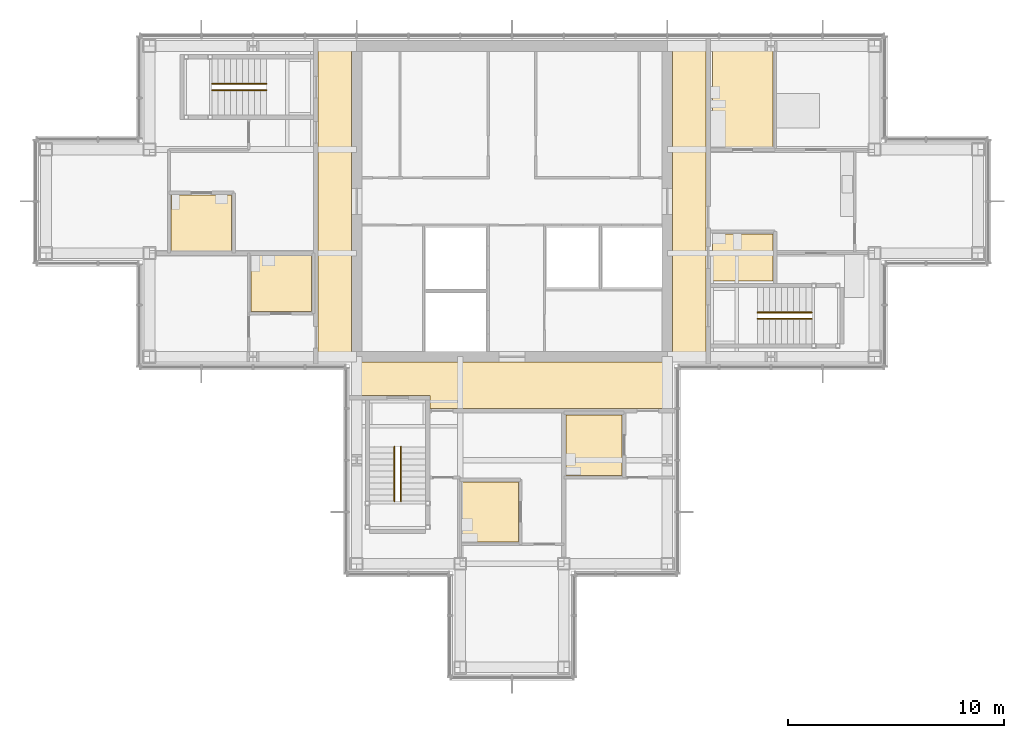
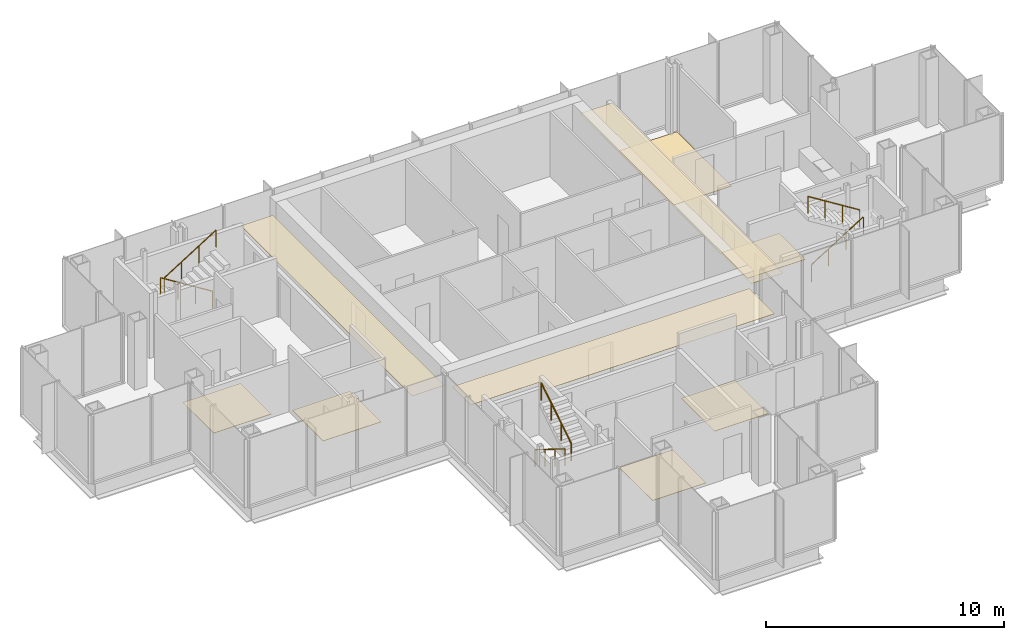
# One storey, part 13 of 15: 9 coverings, 6 railings.
"""IFC4 building model written with IfcOpenShell, lengths in metres."""

import ifcopenshell
import ifcopenshell.guid

model = None  # the IFC model being written
_history = None  # IfcOwnerHistory: only IFC2X3 demands one
_inside = {}  # id of a spatial element -> (the spatial element, [elements in it])
_under = {}  # id of a project, library or spatial element -> (it, [spatial elements below it])
_declared = {}  # id of a project -> (the project, [libraries it declares])
_typed = {}  # id of a type object -> (the type object, [elements of that type])
_made_of = {}  # id of a material, layer set ... -> (it, [elements and type objects made of it])


def new_model(schema):
    """Start an empty IFC model of exactly this schema.

    Asked for "IFC4X3", IfcOpenShell would pick the latest addendum, in which some entities
    have other attributes; the version numbers below select the first issue.
    IFC2X3 requires an IfcOwnerHistory on every rooted entity: one is made here for all.
    """
    global model, _history
    if schema == "IFC4X3":
        model = ifcopenshell.file(schema_version=(4, 3, 0, 0))
    else:
        model = ifcopenshell.file(schema=schema)
    _inside.clear()
    _under.clear()
    _declared.clear()
    _typed.clear()
    _made_of.clear()
    _history = None
    if model.schema == "IFC2X3":
        org = make("IfcOrganization", Name="unknown")
        user = make(
            "IfcPersonAndOrganization",
            ThePerson=make("IfcPerson", FamilyName="unknown"),
            TheOrganization=org,
        )
        app = make(
            "IfcApplication",
            ApplicationDeveloper=org,
            Version="unknown",
            ApplicationFullName="unknown",
            ApplicationIdentifier="unknown",
        )
        _history = make(
            "IfcOwnerHistory",
            OwningUser=user,
            OwningApplication=app,
            ChangeAction="ADDED",
            CreationDate=0,
        )
    return model


def make(cls, **values):
    """One entity of the class cls with the attributes given. An attribute that is None is left unset."""
    return model.create_entity(
        cls, **{name: value for name, value in values.items() if value is not None}
    )


def rooted(cls, **values):
    """An entity with a GlobalId (a new one), such as an element, a storey or a relation."""
    return make(cls, GlobalId=ifcopenshell.guid.new(), OwnerHistory=_history, **values)


def si_unit(unit_type, name, prefix=None):
    """IfcSIUnit, for example si_unit("LENGTHUNIT", "METRE", prefix="MILLI")."""
    return make("IfcSIUnit", UnitType=unit_type, Prefix=prefix, Name=name)


def assignment(units):
    """IfcUnitAssignment: the units of a project."""
    return None if units is None else make("IfcUnitAssignment", Units=units)


def point(xyz):
    """IfcCartesianPoint."""
    return None if xyz is None else make("IfcCartesianPoint", Coordinates=xyz)


def direction(xyz):
    """IfcDirection."""
    return None if xyz is None else make("IfcDirection", DirectionRatios=xyz)


def frame(location, z_axis=None, x_axis=None):
    """IfcAxis2Placement3D, a coordinate frame: its origin and axes. An axis left out is left unset."""
    return make(
        "IfcAxis2Placement3D",
        Location=point(location),
        Axis=direction(z_axis),
        RefDirection=direction(x_axis),
    )


def frame_2d(location, x_axis=None):
    """IfcAxis2Placement2D, a coordinate frame in the plane: its origin and x axis."""
    return make(
        "IfcAxis2Placement2D", Location=point(location), RefDirection=direction(x_axis)
    )


def origin():
    """The frame at (0, 0, 0) with its axes left unset."""
    return frame((0.0, 0.0, 0.0))


def origin_2d():
    """The frame at (0, 0) in the plane with its x axis left unset."""
    return frame_2d((0.0, 0.0))


def place(relative_to, where):
    """IfcLocalPlacement: puts the frame where relative to a parent placement (None: the world)."""
    return make(
        "IfcLocalPlacement", PlacementRelTo=relative_to, RelativePlacement=where
    )


def context(
    kind, dimensions, precision=None, world=None, true_north=None, identifier=None
):
    """IfcGeometricRepresentationContext, for example the 3D "Model" context."""
    return make(
        "IfcGeometricRepresentationContext",
        ContextIdentifier=identifier,
        ContextType=kind,
        CoordinateSpaceDimension=dimensions,
        Precision=precision,
        WorldCoordinateSystem=world,
        TrueNorth=true_north,
    )


def subcontext(parent, identifier, kind, view, scale=None):
    """IfcGeometricRepresentationSubContext, for example "Body" below "Model"."""
    return make(
        "IfcGeometricRepresentationSubContext",
        ContextIdentifier=identifier,
        ContextType=kind,
        ParentContext=parent,
        TargetScale=scale,
        TargetView=view,
    )


def project(units=None, contexts=None):
    """IfcProject with its units and contexts."""
    return rooted(
        "IfcProject",
        Name="project",
        RepresentationContexts=contexts,
        UnitsInContext=assignment(units),
    )


def spatial(cls, under=None, at=None, **own):
    """A site, building, storey or space (cls), placed at a placement, below another one or the project."""
    s = rooted(cls, ObjectPlacement=at, **own)
    if under is not None:
        _under.setdefault(under.id(), (under, []))[1].append(s)
    return s


def polyline(points):
    """IfcPolyline through the points."""
    return make("IfcPolyline", Points=[point(p) for p in points])


def profile(cls, at=None, kind="AREA", **sizes):
    """A parametric profile (cls). Its sizes go by their IFC names, for example OverallWidth=200.0."""
    return make(cls, ProfileType=kind, Position=at, **sizes)


def circle(**sizes):
    """IfcCircleProfileDef."""
    return profile("IfcCircleProfileDef", **sizes)


def outline(outer, holes=None, kind="AREA"):
    """IfcArbitraryClosedProfileDef: a profile drawn as a closed curve; with holes, ...WithVoids."""
    if holes is None:
        return make("IfcArbitraryClosedProfileDef", ProfileType=kind, OuterCurve=outer)
    return make(
        "IfcArbitraryProfileDefWithVoids",
        ProfileType=kind,
        OuterCurve=outer,
        InnerCurves=holes,
    )


def extrude(swept, where, along, depth):
    """IfcExtrudedAreaSolid: the profile swept, set in the frame where, extruded along a direction by depth."""
    return make(
        "IfcExtrudedAreaSolid",
        SweptArea=swept,
        Position=where,
        ExtrudedDirection=direction(along),
        Depth=depth,
    )


def shape(context_of_items, identifier, shape_type, items):
    """IfcShapeRepresentation: the items that make up one representation, for example the "Body"."""
    return make(
        "IfcShapeRepresentation",
        ContextOfItems=context_of_items,
        RepresentationIdentifier=identifier,
        RepresentationType=shape_type,
        Items=items,
    )


def material(Name=None, Category=None):
    """IfcMaterial."""
    return make("IfcMaterial", Name=Name, Category=Category)


def layer(
    of_material, thickness, ventilated=None, Name=None, Category=None, Priority=None
):
    """IfcMaterialLayer: one layer of a wall or slab, of a material (None: an air gap)."""
    return make(
        "IfcMaterialLayer",
        Material=of_material,
        LayerThickness=thickness,
        IsVentilated=ventilated,
        Name=Name,
        Category=Category,
        Priority=Priority,
    )


def layer_set(layers, Name=None):
    """IfcMaterialLayerSet."""
    return make("IfcMaterialLayerSet", MaterialLayers=layers, LayerSetName=Name)


def made_of(thing, what):
    """Note that an element or type object is made of a material, layer set ...; save() writes the relation."""
    if what is not None:
        _made_of.setdefault(what.id(), (what, []))[1].append(thing)
    return thing


def type_object(cls, material=None, **own):
    """A type object (cls), such as IfcWallType, which elements share."""
    return made_of(rooted(cls, **own), material)


def element(
    cls,
    number,
    at=None,
    inside=None,
    cuts=None,
    type_object=None,
    material=None,
    context=None,
    identifier="Body",
    shape_type=None,
    held_by="IfcProductDefinitionShape",
    body=None,
    shapes=None,
    **own,
):
    """One element of the class cls, such as IfcWall. Its Tag is "e" and its number.

    at: its placement. inside: the storey or other place that contains it. cuts: it is an
    opening in that element (IfcRelVoidsElement). A single representation is given by context,
    identifier, shape_type and body (its items); several are given by shapes. held_by: the class
    of the entity that holds the representations. save() writes the other relations.
    """
    e = rooted(cls, Tag="e%d" % number, ObjectPlacement=at, **own)
    if body is not None:
        shapes = [shape(context, identifier, shape_type, body)]
    if shapes is not None:
        e.Representation = make(held_by, Representations=shapes)
    if inside is not None:
        _inside.setdefault(inside.id(), (inside, []))[1].append(e)
    if cuts is not None:
        rooted(
            "IfcRelVoidsElement", RelatingBuildingElement=cuts, RelatedOpeningElement=e
        )
    if type_object is not None:
        _typed.setdefault(type_object.id(), (type_object, []))[1].append(e)
    return made_of(e, material)


def aggregate(whole, parts):
    """IfcRelAggregates: a whole, such as a stair, and the parts it consists of."""
    return rooted("IfcRelAggregates", RelatingObject=whole, RelatedObjects=parts)


def save(model, path):
    """Write the relations noted so far, then the file.

    IfcRelAggregates (storeys below a building ...), IfcRelContainedInSpatialStructure (elements
    in a storey), IfcRelDefinesByType, IfcRelAssociatesMaterial and IfcRelDeclares: one each for
    every whole, place, type object, material and project.
    """
    for whole, parts in _under.values():
        aggregate(whole, parts)
    for where, things in _inside.values():
        rooted(
            "IfcRelContainedInSpatialStructure",
            RelatedElements=things,
            RelatingStructure=where,
        )
    for kind, things in _typed.values():
        rooted("IfcRelDefinesByType", RelatedObjects=things, RelatingType=kind)
    for what, things in _made_of.values():
        rooted("IfcRelAssociatesMaterial", RelatedObjects=things, RelatingMaterial=what)
    for by, libraries in _declared.values():
        rooted("IfcRelDeclares", RelatingContext=by, RelatedDefinitions=libraries)
    model.write(path)


model = new_model("IFC4")

# Units and contexts
model_context = context("Model", 3, precision=1e-05, world=origin(), true_north=direction((0.0, 1.0)))
body_context = subcontext(model_context, "Body", "Model", "MODEL_VIEW")
ifc_project = project(units=[si_unit("LENGTHUNIT", "METRE"), si_unit("AREAUNIT", "SQUARE_METRE"), si_unit("VOLUMEUNIT", "CUBIC_METRE"), si_unit("PLANEANGLEUNIT", "RADIAN"), si_unit("MASSUNIT", "GRAM", prefix="KILO")], contexts=[model_context])

# Site, building, storey
site_placement = place(None, origin())
site = spatial("IfcSite", under=ifc_project, at=site_placement, CompositionType="ELEMENT")
building_placement = place(site_placement, origin())
building = spatial("IfcBuilding", under=site, at=building_placement, Name="Kvirike Care Tower", CompositionType="ELEMENT")
storey_placement = place(building_placement, frame((0.0, 0.0, 229.5)))
storey = spatial("IfcBuildingStorey", under=building, at=storey_placement, Name="L63", CompositionType="ELEMENT", Elevation=229.5)

# Coverings
ifc_material_1 = material(Name="Perforated metal ceiling tile", Category="aluminium")
ifc_layer_1 = layer(ifc_material_1, 0.014892578125)
ifc_layer_set_1 = layer_set([ifc_layer_1], Name="CORRIDOR CEILING 15")
covering_type_1 = type_object("IfcCoveringType", Name="CORRIDOR CEILING 15", PredefinedType="CEILING", material=ifc_layer_set_1)
covering_1_placement = place(storey_placement, frame((0.0, 0.0, 2.5)))
element("IfcCovering", 1, at=covering_1_placement, inside=storey, type_object=covering_type_1, Name="Corridor ceiling L63", PredefinedType="CEILING", context=body_context, shape_type="SweptSolid", body=[
    extrude(outline(polyline([(12.60009765625, 43.199951171875), (14.14990234375, 43.199951171875), (14.14990234375, 28.800048828125), (12.60009765625, 28.800048828125), (12.60009765625, 43.199951171875)])), origin(), (0.0, 0.0, 1.0), 0.014892578125),
])
covering_2_placement = place(storey_placement, frame((0.0, 0.0, 2.5)))
element("IfcCovering", 2, at=covering_2_placement, inside=storey, type_object=covering_type_1, Name="Corridor ceiling L63", PredefinedType="CEILING", context=body_context, shape_type="SweptSolid", body=[
    extrude(outline(polyline([(14.39990234375, 28.550048828125), (28.800048828125, 28.550048828125), (28.800048828125, 26.39990234375), (17.800048828125, 26.39990234375), (17.800048828125, 27.0), (14.39990234375, 27.0), (14.39990234375, 28.550048828125)])), origin(), (0.0, 0.0, 1.0), 0.014892578125),
])
covering_3_placement = place(storey_placement, frame((0.0, 0.0, 2.5)))
element("IfcCovering", 3, at=covering_3_placement, inside=storey, type_object=covering_type_1, Name="Corridor ceiling L63", PredefinedType="CEILING", context=body_context, shape_type="SweptSolid", body=[
    extrude(outline(polyline([(30.60009765625, 28.800048828125), (29.050048828125, 28.800048828125), (29.050048828125, 43.199951171875), (30.60009765625, 43.199951171875), (30.60009765625, 28.800048828125)])), origin(), (0.0, 0.0, 1.0), 0.014892578125),
])

# Railings
ifc_material_2 = material(Name="Stainless steel handrail", Category="steel")
railing_type = type_object("IfcRailingType", Name="STAIR HANDRAIL 900", PredefinedType="HANDRAIL", material=ifc_material_2)
railing_1_placement = place(storey_placement, frame((10.219970703125, 41.449951171875, 0.175048828125)))
element("IfcRailing", 4, at=railing_1_placement, inside=storey, type_object=railing_type, Name="Stair 1 handrail L63 flight 1", PredefinedType="HANDRAIL", context=body_context, shape_type="SweptSolid", body=[
    extrude(circle(Radius=0.02490234375, at=origin_2d()), frame((0.0, 0.0, 0.875), z_axis=(-0.848007534815, 0.0, 0.529984170421), x_axis=(0.0, -1.0, 0.0)), (0.0, 0.0, 1.0), 2.9716796875),
    extrude(circle(Radius=0.02001953125, at=origin_2d()), origin(), (0.0, 0.0, 1.0), 0.849853515625),
    extrude(circle(Radius=0.02001953125, at=origin_2d()), frame((-0.840087890625, 0.0, 0.52490234375)), (0.0, 0.0, 1.0), 0.849853515625),
    extrude(circle(Radius=0.02001953125, at=origin_2d()), frame((-1.679931640625, 0.0, 1.050048828125)), (0.0, 0.0, 1.0), 0.849853515625),
    extrude(circle(Radius=0.02001953125, at=origin_2d()), frame((-2.52001953125, 0.0, 1.574951171875)), (0.0, 0.0, 1.0), 0.849853515625),
])
for number, where, name in (
    (5, (7.699951171875, 41.14990234375, 1.925048828125), "Stair 1 handrail L63 flight 2"),
    (6, (32.97998046875, 30.550048828125, 0.175048828125), "Stair 2 handrail L63 flight 1"),
):
    element("IfcRailing", number, at=place(storey_placement, frame(where)), inside=storey, type_object=railing_type, Name=name, PredefinedType="HANDRAIL", context=body_context, shape_type="SweptSolid", body=[
        extrude(circle(Radius=0.02490234375, at=origin_2d()), frame((0.0, 0.0, 0.875), z_axis=(0.848007534815, 0.0, 0.529984170421), x_axis=(0.0, 1.0, 0.0)), (0.0, 0.0, 1.0), 2.9716796875),
        extrude(circle(Radius=0.02001953125, at=origin_2d()), origin(), (0.0, 0.0, 1.0), 0.849853515625),
        extrude(circle(Radius=0.02001953125, at=origin_2d()), frame((0.840087890625, 0.0, 0.52490234375)), (0.0, 0.0, 1.0), 0.849853515625),
        extrude(circle(Radius=0.02001953125, at=origin_2d()), frame((1.679931640625, 0.0, 1.050048828125)), (0.0, 0.0, 1.0), 0.849853515625),
        extrude(circle(Radius=0.02001953125, at=origin_2d()), frame((2.52001953125, 0.0, 1.574951171875)), (0.0, 0.0, 1.0), 0.849853515625),
    ])
railing_2_placement = place(storey_placement, frame((35.5, 30.85009765625, 1.925048828125)))
element("IfcRailing", 7, at=railing_2_placement, inside=storey, type_object=railing_type, Name="Stair 2 handrail L63 flight 2", PredefinedType="HANDRAIL", context=body_context, shape_type="SweptSolid", body=[
    extrude(circle(Radius=0.02490234375, at=origin_2d()), frame((0.0, 0.0, 0.875), z_axis=(-0.848007534815, 0.0, 0.529984170421), x_axis=(0.0, -1.0, 0.0)), (0.0, 0.0, 1.0), 2.9716796875),
    extrude(circle(Radius=0.02001953125, at=origin_2d()), origin(), (0.0, 0.0, 1.0), 0.849853515625),
    extrude(circle(Radius=0.02001953125, at=origin_2d()), frame((-0.840087890625, 0.0, 0.52490234375)), (0.0, 0.0, 1.0), 0.849853515625),
    extrude(circle(Radius=0.02001953125, at=origin_2d()), frame((-1.679931640625, 0.0, 1.050048828125)), (0.0, 0.0, 1.0), 0.849853515625),
    extrude(circle(Radius=0.02001953125, at=origin_2d()), frame((-2.52001953125, 0.0, 1.574951171875)), (0.0, 0.0, 1.0), 0.849853515625),
])
railing_3_placement = place(storey_placement, frame((16.14990234375, 24.6201171875, 0.175048828125)))
element("IfcRailing", 8, at=railing_3_placement, inside=storey, type_object=railing_type, Name="Stair 5 handrail L63 flight 1", PredefinedType="HANDRAIL", context=body_context, shape_type="SweptSolid", body=[
    extrude(circle(Radius=0.02490234375, at=origin_2d()), frame((0.0, 0.0, 0.875), z_axis=(0.0, -0.848007534815, 0.529984170421), x_axis=(1.0, 0.0, 0.0)), (0.0, 0.0, 1.0), 2.9716796875),
    extrude(circle(Radius=0.02001953125, at=origin_2d()), origin(), (0.0, 0.0, 1.0), 0.849853515625),
    extrude(circle(Radius=0.02001953125, at=origin_2d()), frame((0.0, -0.840087890625, 0.52490234375)), (0.0, 0.0, 1.0), 0.849853515625),
    extrude(circle(Radius=0.02001953125, at=origin_2d()), frame((0.0, -1.679931640625, 1.050048828125)), (0.0, 0.0, 1.0), 0.849853515625),
    extrude(circle(Radius=0.02001953125, at=origin_2d()), frame((0.0, -2.52001953125, 1.574951171875)), (0.0, 0.0, 1.0), 0.849853515625),
])
railing_4_placement = place(storey_placement, frame((16.449951171875, 22.10009765625, 1.925048828125)))
element("IfcRailing", 9, at=railing_4_placement, inside=storey, type_object=railing_type, Name="Stair 5 handrail L63 flight 2", PredefinedType="HANDRAIL", context=body_context, shape_type="SweptSolid", body=[
    extrude(circle(Radius=0.02490234375, at=origin_2d()), frame((0.0, 0.0, 0.875), z_axis=(0.0, 0.848007534815, 0.529984170421), x_axis=(-1.0, 0.0, 0.0)), (0.0, 0.0, 1.0), 2.9716796875),
    extrude(circle(Radius=0.02001953125, at=origin_2d()), origin(), (0.0, 0.0, 1.0), 0.849853515625),
    extrude(circle(Radius=0.02001953125, at=origin_2d()), frame((0.0, 0.840087890625, 0.52490234375)), (0.0, 0.0, 1.0), 0.849853515625),
    extrude(circle(Radius=0.02001953125, at=origin_2d()), frame((0.0, 1.679931640625, 1.050048828125)), (0.0, 0.0, 1.0), 0.849853515625),
    extrude(circle(Radius=0.02001953125, at=origin_2d()), frame((0.0, 2.52001953125, 1.574951171875)), (0.0, 0.0, 1.0), 0.849853515625),
])

# Coverings
ifc_material_3 = material(Name="Slip-resistant vinyl safety flooring on screed")
ifc_layer_2 = layer(ifc_material_3, 0.02001953125)
ifc_layer_set_2 = layer_set([ifc_layer_2], Name="WET ROOM FLOOR 20")
covering_type_2 = type_object("IfcCoveringType", Name="WET ROOM FLOOR 20", PredefinedType="FLOORING", material=ifc_layer_set_2)
covering_4_placement = place(storey_placement, origin())
element("IfcCovering", 10, at=covering_4_placement, inside=storey, type_object=covering_type_2, Name="Staff WC floor L63-004", PredefinedType="FLOORING", context=body_context, shape_type="SweptSolid", body=[
    extrude(outline(polyline([(5.800048828125, 36.300048828125), (8.60009765625, 36.300048828125), (8.60009765625, 33.699951171875), (5.800048828125, 33.699951171875), (5.800048828125, 36.300048828125)])), origin(), (0.0, 0.0, 1.0), 0.02001953125),
])
covering_5_placement = place(storey_placement, origin())
element("IfcCovering", 11, at=covering_5_placement, inside=storey, type_object=covering_type_2, Name="Accessible WC floor L63-007", PredefinedType="FLOORING", context=body_context, shape_type="SweptSolid", body=[
    extrude(outline(polyline([(9.5, 33.5), (12.300048828125, 33.5), (12.300048828125, 30.89990234375), (9.5, 30.89990234375), (9.5, 33.5)])), origin(), (0.0, 0.0, 1.0), 0.02001953125),
])
covering_6_placement = place(storey_placement, origin())
element("IfcCovering", 12, at=covering_6_placement, inside=storey, type_object=covering_type_2, Name="Accessible WC floor L63-013", PredefinedType="FLOORING", context=body_context, shape_type="SweptSolid", body=[
    extrude(outline(polyline([(19.300048828125, 20.199951171875), (19.300048828125, 23.0), (21.89990234375, 23.0), (21.89990234375, 20.199951171875), (19.300048828125, 20.199951171875)])), origin(), (0.0, 0.0, 1.0), 0.02001953125),
])
covering_7_placement = place(storey_placement, origin())
element("IfcCovering", 13, at=covering_7_placement, inside=storey, type_object=covering_type_2, Name="Staff WC floor L63-016", PredefinedType="FLOORING", context=body_context, shape_type="SweptSolid", body=[
    extrude(outline(polyline([(24.10009765625, 23.300048828125), (24.10009765625, 26.10009765625), (26.699951171875, 26.10009765625), (26.699951171875, 23.300048828125), (24.10009765625, 23.300048828125)])), origin(), (0.0, 0.0, 1.0), 0.02001953125),
])
covering_8_placement = place(storey_placement, origin())
element("IfcCovering", 14, at=covering_8_placement, inside=storey, type_object=covering_type_2, Name="Accessible WC floor L63-023", PredefinedType="FLOORING", context=body_context, shape_type="SweptSolid", body=[
    extrude(outline(polyline([(33.699951171875, 32.300048828125), (30.89990234375, 32.300048828125), (30.89990234375, 34.5), (33.699951171875, 34.5), (33.699951171875, 32.300048828125)])), origin(), (0.0, 0.0, 1.0), 0.02001953125),
])
covering_9_placement = place(storey_placement, origin())
element("IfcCovering", 15, at=covering_9_placement, inside=storey, type_object=covering_type_2, Name="Bathroom floor L63-024", PredefinedType="FLOORING", context=body_context, shape_type="SweptSolid", body=[
    extrude(outline(polyline([(33.699951171875, 38.5), (30.89990234375, 38.5), (30.89990234375, 43.10009765625), (33.699951171875, 43.10009765625), (33.699951171875, 38.5)])), origin(), (0.0, 0.0, 1.0), 0.02001953125),
])

save(model, "model.ifc")
